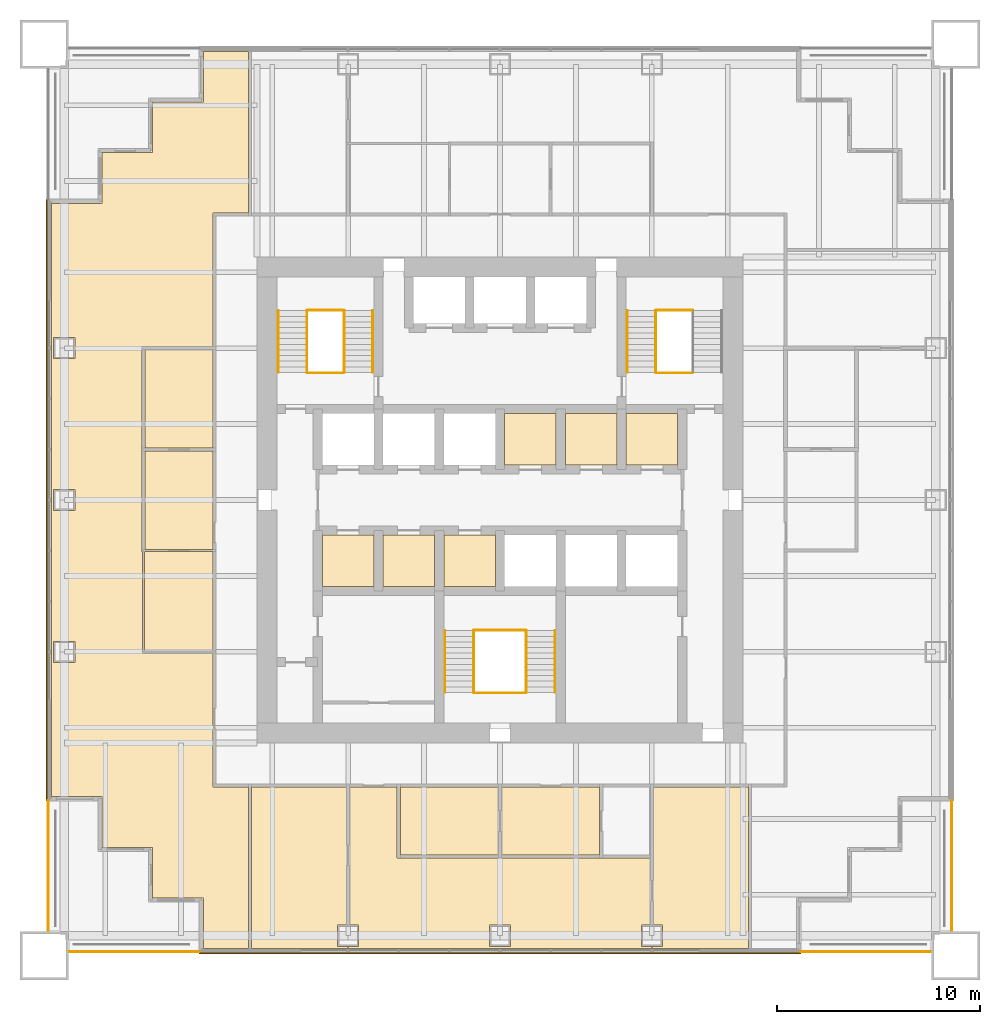
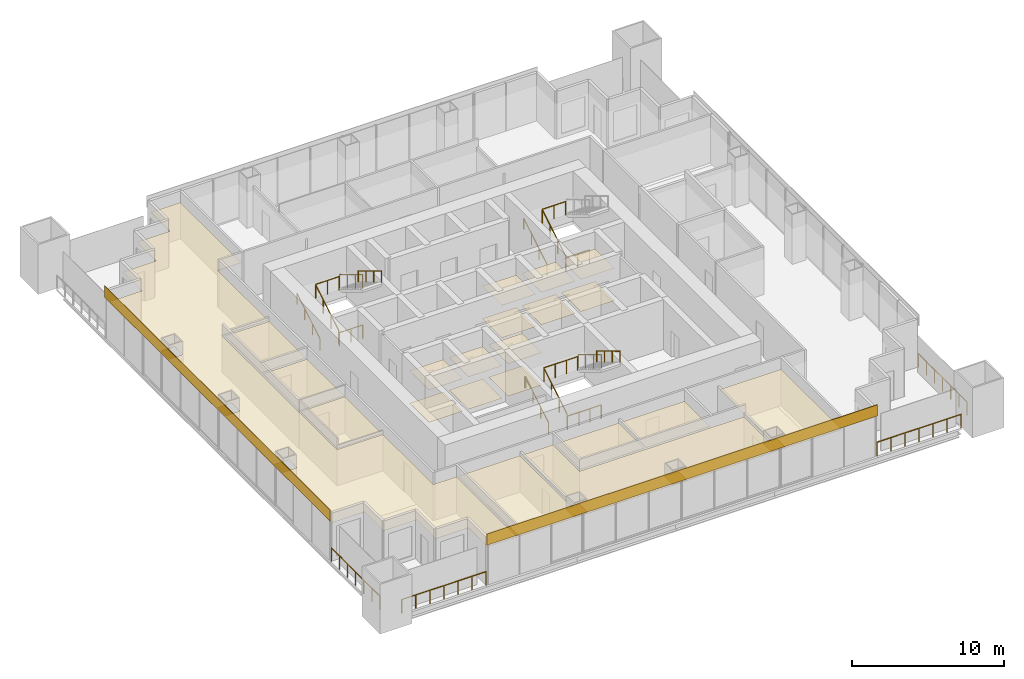
# One storey, part 12 of 13: 23 coverings, 20 railings.
"""IFC4 building model written with IfcOpenShell, lengths in metres."""

from ifc_helpers import new_model, si_unit, direction, frame, origin, origin_2d, place, context, subcontext, project, spatial, polyline, rectangle, circle, outline, extrude, material, layer, layer_set, type_object, element, save


model = new_model("IFC4")

# Units and contexts
model_context = context("Model", 3, precision=1e-05, world=origin(), true_north=direction((0.0, 1.0)))
body_context = subcontext(model_context, "Body", "Model", "MODEL_VIEW")
ifc_project = project(units=[si_unit("LENGTHUNIT", "METRE"), si_unit("AREAUNIT", "SQUARE_METRE"), si_unit("VOLUMEUNIT", "CUBIC_METRE"), si_unit("PLANEANGLEUNIT", "RADIAN"), si_unit("MASSUNIT", "GRAM", prefix="KILO")], contexts=[model_context])

# Site, building, storey
site_placement = place(None, origin())
site = spatial("IfcSite", under=ifc_project, at=site_placement, CompositionType="ELEMENT")
building_placement = place(site_placement, origin())
building = spatial("IfcBuilding", under=site, at=building_placement, Name="Tarangal Relay Tower", CompositionType="ELEMENT")
storey_placement = place(building_placement, frame((0.0, 0.0, 205.89990234375)))
storey = spatial("IfcBuildingStorey", under=building, at=storey_placement, Name="L43", CompositionType="ELEMENT", Elevation=205.89990234375)

# Coverings
ifc_material_1 = material(Name="Anti-static vinyl flooring", Category="plastic")
ifc_layer_1 = layer(ifc_material_1, 0.010009765625)
ifc_layer_set_1 = layer_set([ifc_layer_1], Name="Anti-static vinyl floor")
covering_type_1 = type_object("IfcCoveringType", Name="Anti-static vinyl floor", PredefinedType="FLOORING", material=ifc_layer_set_1)
covering_1_placement = place(storey_placement, origin())
element("IfcCovering", 1, at=covering_1_placement, inside=storey, type_object=covering_type_1, Name="Floor finish FL1 L43-T1", PredefinedType="FLOORING", context=body_context, shape_type="SweptSolid", body=[
    extrude(outline(polyline([(0.22509765625, 1.72509765625), (2.77490234375, 1.72509765625), (2.77490234375, 4.27490234375), (0.22509765625, 4.27490234375), (0.22509765625, 1.72509765625)])), origin(), (0.0, 0.0, 1.0), 0.010009765625),
])
covering_2_placement = place(storey_placement, origin())
element("IfcCovering", 2, at=covering_2_placement, inside=storey, type_object=covering_type_1, Name="Floor finish FL1 L43-T2", PredefinedType="FLOORING", context=body_context, shape_type="SweptSolid", body=[
    extrude(outline(polyline([(3.22509765625, 1.72509765625), (5.77490234375, 1.72509765625), (5.77490234375, 4.27490234375), (3.22509765625, 4.27490234375), (3.22509765625, 1.72509765625)])), origin(), (0.0, 0.0, 1.0), 0.010009765625),
])
covering_3_placement = place(storey_placement, origin())
element("IfcCovering", 3, at=covering_3_placement, inside=storey, type_object=covering_type_1, Name="Floor finish FL1 L43-T3", PredefinedType="FLOORING", context=body_context, shape_type="SweptSolid", body=[
    extrude(outline(polyline([(6.22509765625, 1.72509765625), (8.77490234375, 1.72509765625), (8.77490234375, 4.27490234375), (6.22509765625, 4.27490234375), (6.22509765625, 1.72509765625)])), origin(), (0.0, 0.0, 1.0), 0.010009765625),
])
covering_4_placement = place(storey_placement, origin())
element("IfcCovering", 4, at=covering_4_placement, inside=storey, type_object=covering_type_1, Name="Floor finish FL1 L43-S1", PredefinedType="FLOORING", context=body_context, shape_type="SweptSolid", body=[
    extrude(outline(polyline([(-8.77490234375, -4.27490234375), (-6.22509765625, -4.27490234375), (-6.22509765625, -1.72509765625), (-8.77490234375, -1.72509765625), (-8.77490234375, -4.27490234375)])), origin(), (0.0, 0.0, 1.0), 0.010009765625),
])
covering_5_placement = place(storey_placement, origin())
element("IfcCovering", 5, at=covering_5_placement, inside=storey, type_object=covering_type_1, Name="Floor finish FL1 L43-S2", PredefinedType="FLOORING", context=body_context, shape_type="SweptSolid", body=[
    extrude(outline(polyline([(-5.77490234375, -4.27490234375), (-3.22509765625, -4.27490234375), (-3.22509765625, -1.72509765625), (-5.77490234375, -1.72509765625), (-5.77490234375, -4.27490234375)])), origin(), (0.0, 0.0, 1.0), 0.010009765625),
])
covering_6_placement = place(storey_placement, origin())
element("IfcCovering", 6, at=covering_6_placement, inside=storey, type_object=covering_type_1, Name="Floor finish FL1 L43-S3", PredefinedType="FLOORING", context=body_context, shape_type="SweptSolid", body=[
    extrude(outline(polyline([(-2.77490234375, -4.27490234375), (-0.22509765625, -4.27490234375), (-0.22509765625, -1.72509765625), (-2.77490234375, -1.72509765625), (-2.77490234375, -4.27490234375)])), origin(), (0.0, 0.0, 1.0), 0.010009765625),
])
ifc_material_2 = material(Name="Black anodised aluminium cladding", Category="aluminium")
ifc_layer_2 = layer(ifc_material_2, 0.050048828125)
ifc_layer_set_2 = layer_set([ifc_layer_2], Name="Black metal spandrel band")
covering_type_2 = type_object("IfcCoveringType", Name="Black metal spandrel band", PredefinedType="CLADDING", material=ifc_layer_set_2)
for number, where, z_axis, x_axis, name in (
    (7, (0.0, -22.375, 3.250244140625), (0.0, 0.0, 1.0), (-1.0, 0.0, 0.0), "Spandrel band SB1 S L43"),
    (8, (-22.375, 0.0, 3.250244140625), (0.0, 0.0, 1.0), (0.0, 1.0, 0.0), "Spandrel band SB1 W L43"),
):
    element("IfcCovering", number, at=place(storey_placement, frame(where, z_axis=z_axis, x_axis=x_axis)), inside=storey, type_object=covering_type_2, Name=name, PredefinedType="CLADDING", context=body_context, shape_type="SweptSolid", body=[
        extrude(rectangle(XDim=29.699951171875, YDim=0.050048828125, at=origin_2d()), origin(), (0.0, 0.0, 1.0), 0.89990234375),
    ])

# Railings
ifc_material_3 = material(Name="Steel guard, black finish", Category="steel")
railing_type_1 = type_object("IfcRailingType", Name="Stair guard 1100", PredefinedType="GUARDRAIL", material=ifc_material_3)
railing_1_placement = place(storey_placement, frame((-9.530029296875, 6.300048828125, 0.166748046875)))
element("IfcRailing", 9, at=railing_1_placement, inside=storey, type_object=railing_type_1, Name="Stair ST-A guard GR1 L43 flight 1", PredefinedType="GUARDRAIL", context=body_context, shape_type="SweptSolid", body=[
    extrude(circle(Radius=0.02392578125, at=origin_2d()), frame((0.0, 0.0, 1.076171875), z_axis=(0.0, 0.85685617095, 0.515555527858), x_axis=(-1.0, 0.0, 0.0)), (0.0, 0.0, 1.0), 3.555908203125),
    extrude(circle(Radius=0.02099609375, at=origin_2d()), origin(), (0.0, 0.0, 1.0), 1.052001953125),
    extrude(circle(Radius=0.02099609375, at=origin_2d()), frame((0.0, 1.015625, 0.611083984375)), (0.0, 0.0, 1.0), 1.052001953125),
    extrude(circle(Radius=0.02099609375, at=origin_2d()), frame((0.0, 2.03125, 1.22216796875)), (0.0, 0.0, 1.0), 1.052001953125),
    extrude(circle(Radius=0.02099609375, at=origin_2d()), frame((0.0, 3.046875, 1.833251953125)), (0.0, 0.0, 1.0), 1.052001953125),
])
railing_2_placement = place(storey_placement, frame((-7.695068359375, 9.346923828125, 2.166748046875)))
element("IfcRailing", 10, at=railing_2_placement, inside=storey, type_object=railing_type_1, Name="Stair ST-A guard GR1 L43 flight 2", PredefinedType="GUARDRAIL", context=body_context, shape_type="SweptSolid", body=[
    extrude(circle(Radius=0.02392578125, at=origin_2d()), frame((0.0, 0.0, 1.076171875), z_axis=(0.0, -0.85685617095, 0.515555527858), x_axis=(1.0, 0.0, 0.0)), (0.0, 0.0, 1.0), 3.555908203125),
    extrude(circle(Radius=0.02099609375, at=origin_2d()), origin(), (0.0, 0.0, 1.0), 1.052001953125),
    extrude(circle(Radius=0.02099609375, at=origin_2d()), frame((0.0, -1.015625, 0.611083984375)), (0.0, 0.0, 1.0), 1.052001953125),
    extrude(circle(Radius=0.02099609375, at=origin_2d()), frame((0.0, -2.03125, 1.22216796875)), (0.0, 0.0, 1.0), 1.052001953125),
    extrude(circle(Radius=0.02099609375, at=origin_2d()), frame((0.0, -3.046875, 1.833251953125)), (0.0, 0.0, 1.0), 1.052001953125),
])
for number, where, name in (
    (11, (-9.5, 6.27001953125, 0.0), "Stair ST-A landing guard GR1 L43"),
    (12, (-9.5, 9.376953125, 2.0), "Stair ST-A landing guard GR1 L43"),
):
    element("IfcRailing", number, at=place(storey_placement, frame(where)), inside=storey, type_object=railing_type_1, Name=name, PredefinedType="GUARDRAIL", context=body_context, shape_type="SweptSolid", body=[
        extrude(circle(Radius=0.02392578125, at=origin_2d()), frame((0.0, 0.0, 1.076171875), z_axis=(1.0, 0.0, 0.0), x_axis=(0.0, 1.0, 0.0)), (0.0, 0.0, 1.0), 1.77490234375),
        extrude(circle(Radius=0.02099609375, at=origin_2d()), origin(), (0.0, 0.0, 1.0), 1.052001953125),
        extrude(circle(Radius=0.02099609375, at=origin_2d()), frame((0.887451171875, 0.0, 0.0)), (0.0, 0.0, 1.0), 1.052001953125),
        extrude(circle(Radius=0.02099609375, at=origin_2d()), frame((1.77490234375, 0.0, 0.0)), (0.0, 0.0, 1.0), 1.052001953125),
    ])
railing_3_placement = place(storey_placement, frame((7.695068359375, 6.300048828125, 0.166748046875)))
element("IfcRailing", 13, at=railing_3_placement, inside=storey, type_object=railing_type_1, Name="Stair ST-B guard GR1 L43 flight 1", PredefinedType="GUARDRAIL", context=body_context, shape_type="SweptSolid", body=[
    extrude(circle(Radius=0.02392578125, at=origin_2d()), frame((0.0, 0.0, 1.076171875), z_axis=(0.0, 0.85685617095, 0.515555527858), x_axis=(-1.0, 0.0, 0.0)), (0.0, 0.0, 1.0), 3.555908203125),
    extrude(circle(Radius=0.02099609375, at=origin_2d()), origin(), (0.0, 0.0, 1.0), 1.052001953125),
    extrude(circle(Radius=0.02099609375, at=origin_2d()), frame((0.0, 1.015625, 0.611083984375)), (0.0, 0.0, 1.0), 1.052001953125),
    extrude(circle(Radius=0.02099609375, at=origin_2d()), frame((0.0, 2.03125, 1.22216796875)), (0.0, 0.0, 1.0), 1.052001953125),
    extrude(circle(Radius=0.02099609375, at=origin_2d()), frame((0.0, 3.046875, 1.833251953125)), (0.0, 0.0, 1.0), 1.052001953125),
])
for number, where, name in (
    (14, (7.72509765625, 6.27001953125, 0.0), "Stair ST-B landing guard GR1 L43"),
    (15, (7.72509765625, 9.376953125, 2.0), "Stair ST-B landing guard GR1 L43"),
):
    element("IfcRailing", number, at=place(storey_placement, frame(where)), inside=storey, type_object=railing_type_1, Name=name, PredefinedType="GUARDRAIL", context=body_context, shape_type="SweptSolid", body=[
        extrude(circle(Radius=0.02392578125, at=origin_2d()), frame((0.0, 0.0, 1.076171875), z_axis=(1.0, 0.0, 0.0), x_axis=(0.0, 1.0, 0.0)), (0.0, 0.0, 1.0), 1.77490234375),
        extrude(circle(Radius=0.02099609375, at=origin_2d()), origin(), (0.0, 0.0, 1.0), 1.052001953125),
        extrude(circle(Radius=0.02099609375, at=origin_2d()), frame((0.887451171875, 0.0, 0.0)), (0.0, 0.0, 1.0), 1.052001953125),
        extrude(circle(Radius=0.02099609375, at=origin_2d()), frame((1.77490234375, 0.0, 0.0)), (0.0, 0.0, 1.0), 1.052001953125),
    ])
railing_4_placement = place(storey_placement, frame((-1.304931640625, -9.5, 0.166748046875)))
element("IfcRailing", 16, at=railing_4_placement, inside=storey, type_object=railing_type_1, Name="Stair ST-C guard GR1 L43 flight 1", PredefinedType="GUARDRAIL", context=body_context, shape_type="SweptSolid", body=[
    extrude(circle(Radius=0.02392578125, at=origin_2d()), frame((0.0, 0.0, 1.076171875), z_axis=(0.0, 0.856874418557, 0.515525199018), x_axis=(-1.0, 0.0, 0.0)), (0.0, 0.0, 1.0), 3.55615234375),
    extrude(circle(Radius=0.02099609375, at=origin_2d()), origin(), (0.0, 0.0, 1.0), 1.052001953125),
    extrude(circle(Radius=0.02099609375, at=origin_2d()), frame((0.0, 1.015625, 0.611083984375)), (0.0, 0.0, 1.0), 1.052001953125),
    extrude(circle(Radius=0.02099609375, at=origin_2d()), frame((0.0, 2.031494140625, 1.22216796875)), (0.0, 0.0, 1.0), 1.052001953125),
    extrude(circle(Radius=0.02099609375, at=origin_2d()), frame((0.0, 3.047119140625, 1.833251953125)), (0.0, 0.0, 1.0), 1.052001953125),
])
railing_5_placement = place(storey_placement, frame((1.304931640625, -6.452880859375, 2.166748046875)))
element("IfcRailing", 17, at=railing_5_placement, inside=storey, type_object=railing_type_1, Name="Stair ST-C guard GR1 L43 flight 2", PredefinedType="GUARDRAIL", context=body_context, shape_type="SweptSolid", body=[
    extrude(circle(Radius=0.02392578125, at=origin_2d()), frame((0.0, 0.0, 1.076171875), z_axis=(0.0, -0.856874418557, 0.515525199018), x_axis=(1.0, 0.0, 0.0)), (0.0, 0.0, 1.0), 3.55615234375),
    extrude(circle(Radius=0.02099609375, at=origin_2d()), origin(), (0.0, 0.0, 1.0), 1.052001953125),
    extrude(circle(Radius=0.02099609375, at=origin_2d()), frame((0.0, -1.015625, 0.611083984375)), (0.0, 0.0, 1.0), 1.052001953125),
    extrude(circle(Radius=0.02099609375, at=origin_2d()), frame((0.0, -2.031494140625, 1.22216796875)), (0.0, 0.0, 1.0), 1.052001953125),
    extrude(circle(Radius=0.02099609375, at=origin_2d()), frame((0.0, -3.047119140625, 1.833251953125)), (0.0, 0.0, 1.0), 1.052001953125),
])
for number, where, name in (
    (18, (-1.27490234375, -9.530029296875, 0.0), "Stair ST-C landing guard GR1 L43"),
    (19, (-1.27490234375, -6.423095703125, 2.0), "Stair ST-C landing guard GR1 L43"),
):
    element("IfcRailing", number, at=place(storey_placement, frame(where)), inside=storey, type_object=railing_type_1, Name=name, PredefinedType="GUARDRAIL", context=body_context, shape_type="SweptSolid", body=[
        extrude(circle(Radius=0.02392578125, at=origin_2d()), frame((0.0, 0.0, 1.076171875), z_axis=(1.0, 0.0, 0.0), x_axis=(0.0, 1.0, 0.0)), (0.0, 0.0, 1.0), 2.5498046875),
        extrude(circle(Radius=0.02099609375, at=origin_2d()), origin(), (0.0, 0.0, 1.0), 1.052001953125),
        extrude(circle(Radius=0.02099609375, at=origin_2d()), frame((0.849853515625, 0.0, 0.0)), (0.0, 0.0, 1.0), 1.052001953125),
        extrude(circle(Radius=0.02099609375, at=origin_2d()), frame((1.699951171875, 0.0, 0.0)), (0.0, 0.0, 1.0), 1.052001953125),
        extrude(circle(Radius=0.02099609375, at=origin_2d()), frame((2.5498046875, 0.0, 0.0)), (0.0, 0.0, 1.0), 1.052001953125),
    ])
ifc_material_4 = material(Name="Steel handrail, black finish", Category="steel")
railing_type_2 = type_object("IfcRailingType", Name="Stair handrail 900", PredefinedType="HANDRAIL", material=ifc_material_4)
railing_6_placement = place(storey_placement, frame((-10.93994140625, 6.300048828125, 0.166748046875)))
element("IfcRailing", 20, at=railing_6_placement, inside=storey, type_object=railing_type_2, Name="Stair ST-A handrail HR1 L43 flight 1", PredefinedType="HANDRAIL", context=body_context, shape_type="SweptSolid", body=[
    extrude(circle(Radius=0.02392578125, at=origin_2d()), frame((0.0, 0.0, 0.8759765625), z_axis=(0.0, 0.85685617095, 0.515555527858), x_axis=(-1.0, 0.0, 0.0)), (0.0, 0.0, 1.0), 3.555908203125),
    extrude(circle(Radius=0.02099609375, at=origin_2d()), origin(), (0.0, 0.0, 1.0), 0.851806640625),
    extrude(circle(Radius=0.02099609375, at=origin_2d()), frame((0.0, 1.015625, 0.611083984375)), (0.0, 0.0, 1.0), 0.851806640625),
    extrude(circle(Radius=0.02099609375, at=origin_2d()), frame((0.0, 2.03125, 1.22216796875)), (0.0, 0.0, 1.0), 0.851806640625),
    extrude(circle(Radius=0.02099609375, at=origin_2d()), frame((0.0, 3.046875, 1.833251953125)), (0.0, 0.0, 1.0), 0.851806640625),
])
railing_7_placement = place(storey_placement, frame((-6.284912109375, 9.346923828125, 2.166748046875)))
element("IfcRailing", 21, at=railing_7_placement, inside=storey, type_object=railing_type_2, Name="Stair ST-A handrail HR1 L43 flight 2", PredefinedType="HANDRAIL", context=body_context, shape_type="SweptSolid", body=[
    extrude(circle(Radius=0.02392578125, at=origin_2d()), frame((0.0, 0.0, 0.8759765625), z_axis=(0.0, -0.85685617095, 0.515555527858), x_axis=(1.0, 0.0, 0.0)), (0.0, 0.0, 1.0), 3.555908203125),
    extrude(circle(Radius=0.02099609375, at=origin_2d()), origin(), (0.0, 0.0, 1.0), 0.851806640625),
    extrude(circle(Radius=0.02099609375, at=origin_2d()), frame((0.0, -1.015625, 0.611083984375)), (0.0, 0.0, 1.0), 0.851806640625),
    extrude(circle(Radius=0.02099609375, at=origin_2d()), frame((0.0, -2.03125, 1.22216796875)), (0.0, 0.0, 1.0), 0.851806640625),
    extrude(circle(Radius=0.02099609375, at=origin_2d()), frame((0.0, -3.046875, 1.833251953125)), (0.0, 0.0, 1.0), 0.851806640625),
])
railing_8_placement = place(storey_placement, frame((6.284912109375, 6.300048828125, 0.166748046875)))
element("IfcRailing", 22, at=railing_8_placement, inside=storey, type_object=railing_type_2, Name="Stair ST-B handrail HR1 L43 flight 1", PredefinedType="HANDRAIL", context=body_context, shape_type="SweptSolid", body=[
    extrude(circle(Radius=0.02392578125, at=origin_2d()), frame((0.0, 0.0, 0.8759765625), z_axis=(0.0, 0.85685617095, 0.515555527858), x_axis=(-1.0, 0.0, 0.0)), (0.0, 0.0, 1.0), 3.555908203125),
    extrude(circle(Radius=0.02099609375, at=origin_2d()), origin(), (0.0, 0.0, 1.0), 0.851806640625),
    extrude(circle(Radius=0.02099609375, at=origin_2d()), frame((0.0, 1.015625, 0.611083984375)), (0.0, 0.0, 1.0), 0.851806640625),
    extrude(circle(Radius=0.02099609375, at=origin_2d()), frame((0.0, 2.03125, 1.22216796875)), (0.0, 0.0, 1.0), 0.851806640625),
    extrude(circle(Radius=0.02099609375, at=origin_2d()), frame((0.0, 3.046875, 1.833251953125)), (0.0, 0.0, 1.0), 0.851806640625),
])
railing_9_placement = place(storey_placement, frame((-2.715087890625, -9.5, 0.166748046875)))
element("IfcRailing", 23, at=railing_9_placement, inside=storey, type_object=railing_type_2, Name="Stair ST-C handrail HR1 L43 flight 1", PredefinedType="HANDRAIL", context=body_context, shape_type="SweptSolid", body=[
    extrude(circle(Radius=0.02392578125, at=origin_2d()), frame((0.0, 0.0, 0.8759765625), z_axis=(0.0, 0.856874418557, 0.515525199018), x_axis=(-1.0, 0.0, 0.0)), (0.0, 0.0, 1.0), 3.55615234375),
    extrude(circle(Radius=0.02099609375, at=origin_2d()), origin(), (0.0, 0.0, 1.0), 0.851806640625),
    extrude(circle(Radius=0.02099609375, at=origin_2d()), frame((0.0, 1.015625, 0.611083984375)), (0.0, 0.0, 1.0), 0.851806640625),
    extrude(circle(Radius=0.02099609375, at=origin_2d()), frame((0.0, 2.031494140625, 1.22216796875)), (0.0, 0.0, 1.0), 0.851806640625),
    extrude(circle(Radius=0.02099609375, at=origin_2d()), frame((0.0, 3.047119140625, 1.833251953125)), (0.0, 0.0, 1.0), 0.851806640625),
])
railing_10_placement = place(storey_placement, frame((2.715087890625, -6.452880859375, 2.166748046875)))
element("IfcRailing", 24, at=railing_10_placement, inside=storey, type_object=railing_type_2, Name="Stair ST-C handrail HR1 L43 flight 2", PredefinedType="HANDRAIL", context=body_context, shape_type="SweptSolid", body=[
    extrude(circle(Radius=0.02392578125, at=origin_2d()), frame((0.0, 0.0, 0.8759765625), z_axis=(0.0, -0.856874418557, 0.515525199018), x_axis=(1.0, 0.0, 0.0)), (0.0, 0.0, 1.0), 3.55615234375),
    extrude(circle(Radius=0.02099609375, at=origin_2d()), origin(), (0.0, 0.0, 1.0), 0.851806640625),
    extrude(circle(Radius=0.02099609375, at=origin_2d()), frame((0.0, -1.015625, 0.611083984375)), (0.0, 0.0, 1.0), 0.851806640625),
    extrude(circle(Radius=0.02099609375, at=origin_2d()), frame((0.0, -2.031494140625, 1.22216796875)), (0.0, 0.0, 1.0), 0.851806640625),
    extrude(circle(Radius=0.02099609375, at=origin_2d()), frame((0.0, -3.047119140625, 1.833251953125)), (0.0, 0.0, 1.0), 0.851806640625),
])

# Coverings
ifc_material_5 = material(Name="Mineral fibre ceiling tiles", Category="gypsum")
ifc_layer_3 = layer(ifc_material_5, 0.02001953125)
ifc_layer_set_3 = layer_set([ifc_layer_3], Name="Suspended ceiling")
covering_type_3 = type_object("IfcCoveringType", Name="Suspended ceiling", PredefinedType="CEILING", material=ifc_layer_set_3)
covering_7_placement = place(storey_placement, frame((0.0, 0.0, 2.60009765625)))
element("IfcCovering", 25, at=covering_7_placement, inside=storey, type_object=covering_type_3, Name="Suspended ceiling CL1 L43-T1", PredefinedType="CEILING", context=body_context, shape_type="SweptSolid", body=[
    extrude(outline(polyline([(0.22509765625, 1.72509765625), (2.77490234375, 1.72509765625), (2.77490234375, 4.27490234375), (0.22509765625, 4.27490234375), (0.22509765625, 1.72509765625)])), origin(), (0.0, 0.0, 1.0), 0.02001953125),
])
covering_8_placement = place(storey_placement, frame((0.0, 0.0, 2.60009765625)))
element("IfcCovering", 26, at=covering_8_placement, inside=storey, type_object=covering_type_3, Name="Suspended ceiling CL1 L43-T2", PredefinedType="CEILING", context=body_context, shape_type="SweptSolid", body=[
    extrude(outline(polyline([(3.22509765625, 1.72509765625), (5.77490234375, 1.72509765625), (5.77490234375, 4.27490234375), (3.22509765625, 4.27490234375), (3.22509765625, 1.72509765625)])), origin(), (0.0, 0.0, 1.0), 0.02001953125),
])
covering_9_placement = place(storey_placement, frame((0.0, 0.0, 2.60009765625)))
element("IfcCovering", 27, at=covering_9_placement, inside=storey, type_object=covering_type_3, Name="Suspended ceiling CL1 L43-T3", PredefinedType="CEILING", context=body_context, shape_type="SweptSolid", body=[
    extrude(outline(polyline([(6.22509765625, 1.72509765625), (8.77490234375, 1.72509765625), (8.77490234375, 4.27490234375), (6.22509765625, 4.27490234375), (6.22509765625, 1.72509765625)])), origin(), (0.0, 0.0, 1.0), 0.02001953125),
])
covering_10_placement = place(storey_placement, frame((0.0, 0.0, 2.60009765625)))
element("IfcCovering", 28, at=covering_10_placement, inside=storey, type_object=covering_type_3, Name="Suspended ceiling CL1 L43-S1", PredefinedType="CEILING", context=body_context, shape_type="SweptSolid", body=[
    extrude(outline(polyline([(-8.77490234375, -4.27490234375), (-6.22509765625, -4.27490234375), (-6.22509765625, -1.72509765625), (-8.77490234375, -1.72509765625), (-8.77490234375, -4.27490234375)])), origin(), (0.0, 0.0, 1.0), 0.02001953125),
])
covering_11_placement = place(storey_placement, frame((0.0, 0.0, 2.60009765625)))
element("IfcCovering", 29, at=covering_11_placement, inside=storey, type_object=covering_type_3, Name="Suspended ceiling CL1 L43-S2", PredefinedType="CEILING", context=body_context, shape_type="SweptSolid", body=[
    extrude(outline(polyline([(-5.77490234375, -4.27490234375), (-3.22509765625, -4.27490234375), (-3.22509765625, -1.72509765625), (-5.77490234375, -1.72509765625), (-5.77490234375, -4.27490234375)])), origin(), (0.0, 0.0, 1.0), 0.02001953125),
])
covering_12_placement = place(storey_placement, frame((0.0, 0.0, 2.60009765625)))
element("IfcCovering", 30, at=covering_12_placement, inside=storey, type_object=covering_type_3, Name="Suspended ceiling CL1 L43-S3", PredefinedType="CEILING", context=body_context, shape_type="SweptSolid", body=[
    extrude(outline(polyline([(-2.77490234375, -4.27490234375), (-0.22509765625, -4.27490234375), (-0.22509765625, -1.72509765625), (-2.77490234375, -1.72509765625), (-2.77490234375, -4.27490234375)])), origin(), (0.0, 0.0, 1.0), 0.02001953125),
])
covering_13_placement = place(storey_placement, frame((0.0, 0.0, 2.900146484375)))
element("IfcCovering", 31, at=covering_13_placement, inside=storey, type_object=covering_type_3, Name="Suspended ceiling CL1 L43-09", PredefinedType="CEILING", context=body_context, shape_type="SweptSolid", body=[
    extrude(outline(polyline([(7.5, -22.14990234375), (12.258056640625, -22.14990234375), (12.258056640625, -14.175048828125), (7.574951171875, -14.175048828125), (7.574951171875, -20.989990234375), (8.02490234375, -20.989990234375), (8.02490234375, -22.0400390625), (7.5, -22.0400390625), (7.5, -22.14990234375)])), origin(), (0.0, 0.0, 1.0), 0.02001953125),
])
covering_14_placement = place(storey_placement, frame((0.0, 0.0, 2.900146484375)))
element("IfcCovering", 32, at=covering_14_placement, inside=storey, type_object=covering_type_3, Name="Suspended ceiling CL1 L43-11", PredefinedType="CEILING", context=body_context, shape_type="SweptSolid", body=[
    extrude(outline(polyline([(-7.5, -22.14990234375), (7.5, -22.14990234375), (7.5, -22.0400390625), (6.97509765625, -22.0400390625), (6.97509765625, -20.989990234375), (7.425048828125, -20.989990234375), (7.425048828125, -17.675048828125), (-5.074951171875, -17.675048828125), (-5.074951171875, -14.175048828125), (-7.425048828125, -14.175048828125), (-7.425048828125, -20.989990234375), (-6.97509765625, -20.989990234375), (-6.97509765625, -22.0400390625), (-7.5, -22.0400390625), (-7.5, -22.14990234375)]), holes=[polyline([(-0.52490234375, -22.0400390625), (0.52490234375, -22.0400390625), (0.52490234375, -20.989990234375), (-0.52490234375, -20.989990234375), (-0.52490234375, -22.0400390625)])]), origin(), (0.0, 0.0, 1.0), 0.02001953125),
])
covering_15_placement = place(storey_placement, frame((0.0, 0.0, 2.900146484375)))
element("IfcCovering", 33, at=covering_15_placement, inside=storey, type_object=covering_type_3, Name="Suspended ceiling CL1 L43-12", PredefinedType="CEILING", context=body_context, shape_type="SweptSolid", body=[
    extrude(outline(polyline([(0.074951171875, -14.175048828125), (0.074951171875, -17.52490234375), (4.925048828125, -17.52490234375), (4.925048828125, -14.175048828125), (0.074951171875, -14.175048828125)])), origin(), (0.0, 0.0, 1.0), 0.02001953125),
])
covering_16_placement = place(storey_placement, frame((0.0, 0.0, 2.900146484375)))
element("IfcCovering", 34, at=covering_16_placement, inside=storey, type_object=covering_type_3, Name="Suspended ceiling CL1 L43-13", PredefinedType="CEILING", context=body_context, shape_type="SweptSolid", body=[
    extrude(outline(polyline([(-0.074951171875, -14.175048828125), (-4.925048828125, -14.175048828125), (-4.925048828125, -17.52490234375), (-0.074951171875, -17.52490234375), (-0.074951171875, -14.175048828125)])), origin(), (0.0, 0.0, 1.0), 0.02001953125),
])
covering_17_placement = place(storey_placement, frame((0.0, 0.0, 2.900146484375)))
element("IfcCovering", 35, at=covering_17_placement, inside=storey, type_object=covering_type_3, Name="Suspended ceiling CL1 L43-14", PredefinedType="CEILING", context=body_context, shape_type="SweptSolid", body=[
    extrude(outline(polyline([(-7.5, -22.14990234375), (-7.5, -22.0400390625), (-8.02490234375, -22.0400390625), (-8.02490234375, -20.989990234375), (-7.574951171875, -20.989990234375), (-7.574951171875, -14.175048828125), (-12.258056640625, -14.175048828125), (-12.258056640625, -22.14990234375), (-7.5, -22.14990234375)])), origin(), (0.0, 0.0, 1.0), 0.02001953125),
])
covering_18_placement = place(storey_placement, frame((0.0, 0.0, 2.900146484375)))
element("IfcCovering", 36, at=covering_18_placement, inside=storey, type_object=covering_type_3, Name="Suspended ceiling CL1 L43-15", PredefinedType="CEILING", context=body_context, shape_type="SweptSolid", body=[
    extrude(outline(polyline([(-17.52490234375, -2.574951171875), (-17.550048828125, -2.574951171875), (-17.550048828125, -7.449951171875), (-14.175048828125, -7.449951171875), (-14.175048828125, -2.550048828125), (-17.52490234375, -2.550048828125), (-17.52490234375, -2.574951171875)])), origin(), (0.0, 0.0, 1.0), 0.02001953125),
])
covering_19_placement = place(storey_placement, frame((0.0, 0.0, 2.900146484375)))
element("IfcCovering", 37, at=covering_19_placement, inside=storey, type_object=covering_type_3, Name="Suspended ceiling CL1 L43-16", PredefinedType="CEILING", context=body_context, shape_type="SweptSolid", body=[
    extrude(outline(polyline([(-14.175048828125, 2.425048828125), (-17.52490234375, 2.425048828125), (-17.52490234375, -2.449951171875), (-14.175048828125, -2.449951171875), (-14.175048828125, 2.425048828125)])), origin(), (0.0, 0.0, 1.0), 0.02001953125),
])
covering_20_placement = place(storey_placement, frame((0.0, 0.0, 2.900146484375)))
element("IfcCovering", 38, at=covering_20_placement, inside=storey, type_object=covering_type_3, Name="Suspended ceiling CL1 L43-17", PredefinedType="CEILING", context=body_context, shape_type="SweptSolid", body=[
    extrude(outline(polyline([(-14.175048828125, 2.574951171875), (-14.175048828125, 7.425048828125), (-17.52490234375, 7.425048828125), (-17.52490234375, 2.574951171875), (-14.175048828125, 2.574951171875)])), origin(), (0.0, 0.0, 1.0), 0.02001953125),
])
covering_21_placement = place(storey_placement, frame((0.0, 0.0, 2.900146484375)))
element("IfcCovering", 39, at=covering_21_placement, inside=storey, type_object=covering_type_3, Name="Suspended ceiling CL1 L43-20", PredefinedType="CEILING", context=body_context, shape_type="SweptSolid", body=[
    extrude(outline(polyline([(-14.64990234375, -22.14990234375), (-12.407958984375, -22.14990234375), (-12.407958984375, -14.175048828125), (-14.175048828125, -14.175048828125), (-14.175048828125, -7.550048828125), (-17.64990234375, -7.550048828125), (-17.64990234375, -2.574951171875), (-17.675048828125, -2.574951171875), (-17.675048828125, 7.574951171875), (-14.175048828125, 7.574951171875), (-14.175048828125, 14.175048828125), (-12.407958984375, 14.175048828125), (-12.407958984375, 22.14990234375), (-14.64990234375, 22.14990234375), (-14.64990234375, 19.64990234375), (-17.14990234375, 19.64990234375), (-17.14990234375, 17.14990234375), (-19.64990234375, 17.14990234375), (-19.64990234375, 14.64990234375), (-22.14990234375, 14.64990234375), (-22.14990234375, -14.64990234375), (-19.64990234375, -14.64990234375), (-19.64990234375, -17.14990234375), (-17.14990234375, -17.14990234375), (-17.14990234375, -19.64990234375), (-14.64990234375, -19.64990234375), (-14.64990234375, -22.14990234375)]), holes=[polyline([(-20.989990234375, -8.02490234375), (-20.989990234375, -6.97509765625), (-22.0400390625, -6.97509765625), (-22.0400390625, -8.02490234375), (-20.989990234375, -8.02490234375)]), polyline([(-22.0400390625, -0.52490234375), (-20.989990234375, -0.52490234375), (-20.989990234375, 0.52490234375), (-22.0400390625, 0.52490234375), (-22.0400390625, -0.52490234375)]), polyline([(-22.0400390625, 6.97509765625), (-20.989990234375, 6.97509765625), (-20.989990234375, 8.02490234375), (-22.0400390625, 8.02490234375), (-22.0400390625, 6.97509765625)])]), origin(), (0.0, 0.0, 1.0), 0.02001953125),
])

# Railings
ifc_material_6 = material(Name="Black steel guard with glass infill", Category="steel")
railing_type_3 = type_object("IfcRailingType", Name="Terrace guard 1100", PredefinedType="GUARDRAIL", material=ifc_material_6)
railing_11_placement = place(storey_placement, frame((22.300048828125, -14.85009765625, 0.0)))
element("IfcRailing", 40, at=railing_11_placement, inside=storey, type_object=railing_type_3, Name="Terrace guard GR2 SE L43", PredefinedType="GUARDRAIL", context=body_context, shape_type="SweptSolid", body=[
    extrude(circle(Radius=0.02392578125, at=origin_2d()), frame((0.0, 0.0, 1.076171875), z_axis=(0.0, -1.0, 0.0), x_axis=(1.0, 0.0, 0.0)), (0.0, 0.0, 1.0), 6.39990234375),
    extrude(circle(Radius=0.02099609375, at=origin_2d()), origin(), (0.0, 0.0, 1.0), 1.052001953125),
    extrude(circle(Radius=0.02099609375, at=origin_2d()), frame((0.0, -1.066650390625, 0.0)), (0.0, 0.0, 1.0), 1.052001953125),
    extrude(circle(Radius=0.02099609375, at=origin_2d()), frame((0.0, -2.13330078125, 0.0)), (0.0, 0.0, 1.0), 1.052001953125),
    extrude(circle(Radius=0.02099609375, at=origin_2d()), frame((0.0, -3.199951171875, 0.0)), (0.0, 0.0, 1.0), 1.052001953125),
    extrude(circle(Radius=0.02099609375, at=origin_2d()), frame((0.0, -4.2666015625, 0.0)), (0.0, 0.0, 1.0), 1.052001953125),
    extrude(circle(Radius=0.02099609375, at=origin_2d()), frame((0.0, -5.333251953125, 0.0)), (0.0, 0.0, 1.0), 1.052001953125),
    extrude(circle(Radius=0.02099609375, at=origin_2d()), frame((0.0, -6.39990234375, 0.0)), (0.0, 0.0, 1.0), 1.052001953125),
])
for number, where, name in (
    (41, (21.25, -22.300048828125, 0.0), "Terrace guard GR2 SE L43"),
    (42, (-14.85009765625, -22.300048828125, 0.0), "Terrace guard GR2 SW L43"),
):
    element("IfcRailing", number, at=place(storey_placement, frame(where)), inside=storey, type_object=railing_type_3, Name=name, PredefinedType="GUARDRAIL", context=body_context, shape_type="SweptSolid", body=[
        extrude(circle(Radius=0.02392578125, at=origin_2d()), frame((0.0, 0.0, 1.076171875), z_axis=(-1.0, 0.0, 0.0), x_axis=(0.0, -1.0, 0.0)), (0.0, 0.0, 1.0), 6.39990234375),
        extrude(circle(Radius=0.02099609375, at=origin_2d()), origin(), (0.0, 0.0, 1.0), 1.052001953125),
        extrude(circle(Radius=0.02099609375, at=origin_2d()), frame((-1.066650390625, 0.0, 0.0)), (0.0, 0.0, 1.0), 1.052001953125),
        extrude(circle(Radius=0.02099609375, at=origin_2d()), frame((-2.13330078125, 0.0, 0.0)), (0.0, 0.0, 1.0), 1.052001953125),
        extrude(circle(Radius=0.02099609375, at=origin_2d()), frame((-3.199951171875, 0.0, 0.0)), (0.0, 0.0, 1.0), 1.052001953125),
        extrude(circle(Radius=0.02099609375, at=origin_2d()), frame((-4.2666015625, 0.0, 0.0)), (0.0, 0.0, 1.0), 1.052001953125),
        extrude(circle(Radius=0.02099609375, at=origin_2d()), frame((-5.333251953125, 0.0, 0.0)), (0.0, 0.0, 1.0), 1.052001953125),
        extrude(circle(Radius=0.02099609375, at=origin_2d()), frame((-6.39990234375, 0.0, 0.0)), (0.0, 0.0, 1.0), 1.052001953125),
    ])
railing_12_placement = place(storey_placement, frame((-22.300048828125, -21.25, 0.0)))
element("IfcRailing", 43, at=railing_12_placement, inside=storey, type_object=railing_type_3, Name="Terrace guard GR2 SW L43", PredefinedType="GUARDRAIL", context=body_context, shape_type="SweptSolid", body=[
    extrude(circle(Radius=0.02392578125, at=origin_2d()), frame((0.0, 0.0, 1.076171875), z_axis=(0.0, 1.0, 0.0), x_axis=(-1.0, 0.0, 0.0)), (0.0, 0.0, 1.0), 6.39990234375),
    extrude(circle(Radius=0.02099609375, at=origin_2d()), origin(), (0.0, 0.0, 1.0), 1.052001953125),
    extrude(circle(Radius=0.02099609375, at=origin_2d()), frame((0.0, 1.066650390625, 0.0)), (0.0, 0.0, 1.0), 1.052001953125),
    extrude(circle(Radius=0.02099609375, at=origin_2d()), frame((0.0, 2.13330078125, 0.0)), (0.0, 0.0, 1.0), 1.052001953125),
    extrude(circle(Radius=0.02099609375, at=origin_2d()), frame((0.0, 3.199951171875, 0.0)), (0.0, 0.0, 1.0), 1.052001953125),
    extrude(circle(Radius=0.02099609375, at=origin_2d()), frame((0.0, 4.2666015625, 0.0)), (0.0, 0.0, 1.0), 1.052001953125),
    extrude(circle(Radius=0.02099609375, at=origin_2d()), frame((0.0, 5.333251953125, 0.0)), (0.0, 0.0, 1.0), 1.052001953125),
    extrude(circle(Radius=0.02099609375, at=origin_2d()), frame((0.0, 6.39990234375, 0.0)), (0.0, 0.0, 1.0), 1.052001953125),
])

save(model, "model.ifc")
